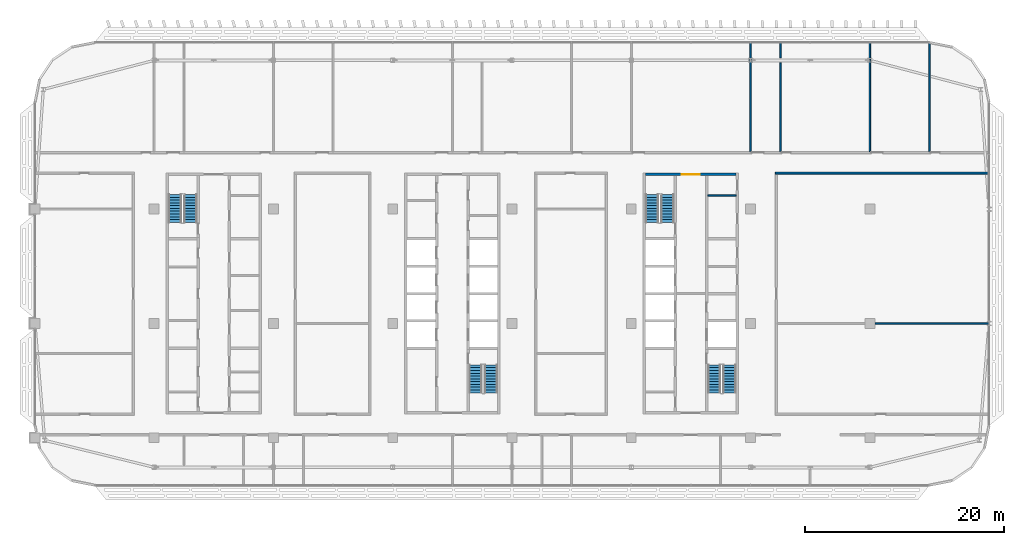
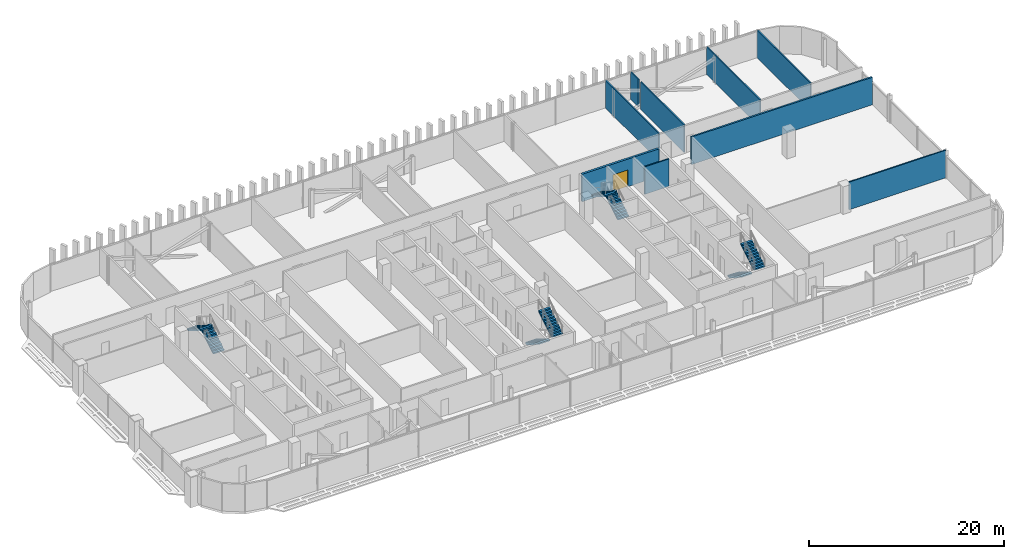
# One storey, part 22 of 32: 9 walls, 8 stair flights, 1 door, 1 opening, 4 elements without a shape of their own.
"""IFC4 building model written with IfcOpenShell, lengths in metres."""

import ifcopenshell
import ifcopenshell.guid

model = None  # the IFC model being written
_history = None  # IfcOwnerHistory: only IFC2X3 demands one
_inside = {}  # id of a spatial element -> (the spatial element, [elements in it])
_under = {}  # id of a project, library or spatial element -> (it, [spatial elements below it])
_declared = {}  # id of a project -> (the project, [libraries it declares])
_typed = {}  # id of a type object -> (the type object, [elements of that type])
_made_of = {}  # id of a material, layer set ... -> (it, [elements and type objects made of it])


def new_model(schema):
    """Start an empty IFC model of exactly this schema.

    Asked for "IFC4X3", IfcOpenShell would pick the latest addendum, in which some entities
    have other attributes; the version numbers below select the first issue.
    IFC2X3 requires an IfcOwnerHistory on every rooted entity: one is made here for all.
    """
    global model, _history
    if schema == "IFC4X3":
        model = ifcopenshell.file(schema_version=(4, 3, 0, 0))
    else:
        model = ifcopenshell.file(schema=schema)
    _inside.clear()
    _under.clear()
    _declared.clear()
    _typed.clear()
    _made_of.clear()
    _history = None
    if model.schema == "IFC2X3":
        org = make("IfcOrganization", Name="unknown")
        user = make(
            "IfcPersonAndOrganization",
            ThePerson=make("IfcPerson", FamilyName="unknown"),
            TheOrganization=org,
        )
        app = make(
            "IfcApplication",
            ApplicationDeveloper=org,
            Version="unknown",
            ApplicationFullName="unknown",
            ApplicationIdentifier="unknown",
        )
        _history = make(
            "IfcOwnerHistory",
            OwningUser=user,
            OwningApplication=app,
            ChangeAction="ADDED",
            CreationDate=0,
        )
    return model


def make(cls, **values):
    """One entity of the class cls with the attributes given. An attribute that is None is left unset."""
    return model.create_entity(
        cls, **{name: value for name, value in values.items() if value is not None}
    )


def rooted(cls, **values):
    """An entity with a GlobalId (a new one), such as an element, a storey or a relation."""
    return make(cls, GlobalId=ifcopenshell.guid.new(), OwnerHistory=_history, **values)


def si_unit(unit_type, name, prefix=None):
    """IfcSIUnit, for example si_unit("LENGTHUNIT", "METRE", prefix="MILLI")."""
    return make("IfcSIUnit", UnitType=unit_type, Prefix=prefix, Name=name)


def assignment(units):
    """IfcUnitAssignment: the units of a project."""
    return None if units is None else make("IfcUnitAssignment", Units=units)


def point(xyz):
    """IfcCartesianPoint."""
    return None if xyz is None else make("IfcCartesianPoint", Coordinates=xyz)


def direction(xyz):
    """IfcDirection."""
    return None if xyz is None else make("IfcDirection", DirectionRatios=xyz)


def frame(location, z_axis=None, x_axis=None):
    """IfcAxis2Placement3D, a coordinate frame: its origin and axes. An axis left out is left unset."""
    return make(
        "IfcAxis2Placement3D",
        Location=point(location),
        Axis=direction(z_axis),
        RefDirection=direction(x_axis),
    )


def frame_2d(location, x_axis=None):
    """IfcAxis2Placement2D, a coordinate frame in the plane: its origin and x axis."""
    return make(
        "IfcAxis2Placement2D", Location=point(location), RefDirection=direction(x_axis)
    )


def origin():
    """The frame at (0, 0, 0) with its axes left unset."""
    return frame((0.0, 0.0, 0.0))


def place(relative_to, where):
    """IfcLocalPlacement: puts the frame where relative to a parent placement (None: the world)."""
    return make(
        "IfcLocalPlacement", PlacementRelTo=relative_to, RelativePlacement=where
    )


def context(
    kind, dimensions, precision=None, world=None, true_north=None, identifier=None
):
    """IfcGeometricRepresentationContext, for example the 3D "Model" context."""
    return make(
        "IfcGeometricRepresentationContext",
        ContextIdentifier=identifier,
        ContextType=kind,
        CoordinateSpaceDimension=dimensions,
        Precision=precision,
        WorldCoordinateSystem=world,
        TrueNorth=true_north,
    )


def subcontext(parent, identifier, kind, view, scale=None):
    """IfcGeometricRepresentationSubContext, for example "Body" below "Model"."""
    return make(
        "IfcGeometricRepresentationSubContext",
        ContextIdentifier=identifier,
        ContextType=kind,
        ParentContext=parent,
        TargetScale=scale,
        TargetView=view,
    )


def project(units=None, contexts=None):
    """IfcProject with its units and contexts."""
    return rooted(
        "IfcProject",
        Name="project",
        RepresentationContexts=contexts,
        UnitsInContext=assignment(units),
    )


def spatial(cls, under=None, at=None, **own):
    """A site, building, storey or space (cls), placed at a placement, below another one or the project."""
    s = rooted(cls, ObjectPlacement=at, **own)
    if under is not None:
        _under.setdefault(under.id(), (under, []))[1].append(s)
    return s


def polyline(points):
    """IfcPolyline through the points."""
    return make("IfcPolyline", Points=[point(p) for p in points])


def profile(cls, at=None, kind="AREA", **sizes):
    """A parametric profile (cls). Its sizes go by their IFC names, for example OverallWidth=200.0."""
    return make(cls, ProfileType=kind, Position=at, **sizes)


def rectangle(**sizes):
    """IfcRectangleProfileDef."""
    return profile("IfcRectangleProfileDef", **sizes)


def outline(outer, holes=None, kind="AREA"):
    """IfcArbitraryClosedProfileDef: a profile drawn as a closed curve; with holes, ...WithVoids."""
    if holes is None:
        return make("IfcArbitraryClosedProfileDef", ProfileType=kind, OuterCurve=outer)
    return make(
        "IfcArbitraryProfileDefWithVoids",
        ProfileType=kind,
        OuterCurve=outer,
        InnerCurves=holes,
    )


def extrude(swept, where, along, depth):
    """IfcExtrudedAreaSolid: the profile swept, set in the frame where, extruded along a direction by depth."""
    return make(
        "IfcExtrudedAreaSolid",
        SweptArea=swept,
        Position=where,
        ExtrudedDirection=direction(along),
        Depth=depth,
    )


def shape(context_of_items, identifier, shape_type, items):
    """IfcShapeRepresentation: the items that make up one representation, for example the "Body"."""
    return make(
        "IfcShapeRepresentation",
        ContextOfItems=context_of_items,
        RepresentationIdentifier=identifier,
        RepresentationType=shape_type,
        Items=items,
    )


def material(Name=None, Category=None):
    """IfcMaterial."""
    return make("IfcMaterial", Name=Name, Category=Category)


def layer(
    of_material, thickness, ventilated=None, Name=None, Category=None, Priority=None
):
    """IfcMaterialLayer: one layer of a wall or slab, of a material (None: an air gap)."""
    return make(
        "IfcMaterialLayer",
        Material=of_material,
        LayerThickness=thickness,
        IsVentilated=ventilated,
        Name=Name,
        Category=Category,
        Priority=Priority,
    )


def layer_set(layers, Name=None):
    """IfcMaterialLayerSet."""
    return make("IfcMaterialLayerSet", MaterialLayers=layers, LayerSetName=Name)


def made_of(thing, what):
    """Note that an element or type object is made of a material, layer set ...; save() writes the relation."""
    if what is not None:
        _made_of.setdefault(what.id(), (what, []))[1].append(thing)
    return thing


def type_object(cls, material=None, **own):
    """A type object (cls), such as IfcWallType, which elements share."""
    return made_of(rooted(cls, **own), material)


def element(
    cls,
    number,
    at=None,
    inside=None,
    cuts=None,
    type_object=None,
    material=None,
    context=None,
    identifier="Body",
    shape_type=None,
    held_by="IfcProductDefinitionShape",
    body=None,
    shapes=None,
    **own,
):
    """One element of the class cls, such as IfcWall. Its Tag is "e" and its number.

    at: its placement. inside: the storey or other place that contains it. cuts: it is an
    opening in that element (IfcRelVoidsElement). A single representation is given by context,
    identifier, shape_type and body (its items); several are given by shapes. held_by: the class
    of the entity that holds the representations. save() writes the other relations.
    """
    e = rooted(cls, Tag="e%d" % number, ObjectPlacement=at, **own)
    if body is not None:
        shapes = [shape(context, identifier, shape_type, body)]
    if shapes is not None:
        e.Representation = make(held_by, Representations=shapes)
    if inside is not None:
        _inside.setdefault(inside.id(), (inside, []))[1].append(e)
    if cuts is not None:
        rooted(
            "IfcRelVoidsElement", RelatingBuildingElement=cuts, RelatedOpeningElement=e
        )
    if type_object is not None:
        _typed.setdefault(type_object.id(), (type_object, []))[1].append(e)
    return made_of(e, material)


def fill(opening, filler):
    """IfcRelFillsElement: the door or window that sits in an opening."""
    return rooted(
        "IfcRelFillsElement",
        RelatingOpeningElement=opening,
        RelatedBuildingElement=filler,
    )


def aggregate(whole, parts):
    """IfcRelAggregates: a whole, such as a stair, and the parts it consists of."""
    return rooted("IfcRelAggregates", RelatingObject=whole, RelatedObjects=parts)


def save(model, path):
    """Write the relations noted so far, then the file.

    IfcRelAggregates (storeys below a building ...), IfcRelContainedInSpatialStructure (elements
    in a storey), IfcRelDefinesByType, IfcRelAssociatesMaterial and IfcRelDeclares: one each for
    every whole, place, type object, material and project.
    """
    for whole, parts in _under.values():
        aggregate(whole, parts)
    for where, things in _inside.values():
        rooted(
            "IfcRelContainedInSpatialStructure",
            RelatedElements=things,
            RelatingStructure=where,
        )
    for kind, things in _typed.values():
        rooted("IfcRelDefinesByType", RelatedObjects=things, RelatingType=kind)
    for what, things in _made_of.values():
        rooted("IfcRelAssociatesMaterial", RelatedObjects=things, RelatingMaterial=what)
    for by, libraries in _declared.values():
        rooted("IfcRelDeclares", RelatingContext=by, RelatedDefinitions=libraries)
    model.write(path)


model = new_model("IFC4")

# Units and contexts
model_context = context("Model", 3, precision=1e-05, world=origin(), true_north=direction((0.0, 1.0)))
body_context = subcontext(model_context, "Body", "Model", "MODEL_VIEW")
ifc_project = project(units=[si_unit("LENGTHUNIT", "METRE"), si_unit("AREAUNIT", "SQUARE_METRE"), si_unit("VOLUMEUNIT", "CUBIC_METRE"), si_unit("PLANEANGLEUNIT", "RADIAN"), si_unit("MASSUNIT", "GRAM", prefix="KILO")], contexts=[model_context])

# Site, building, storey
site_placement = place(None, origin())
site = spatial("IfcSite", under=ifc_project, at=site_placement, CompositionType="ELEMENT")
building_placement = place(site_placement, origin())
building = spatial("IfcBuilding", under=site, at=building_placement, Name="Mahtab Terrace Research Tower", CompositionType="ELEMENT")
storey_placement = place(building_placement, frame((0.0, 0.0, 236.199951171875)))
storey = spatial("IfcBuildingStorey", under=building, at=storey_placement, Name="L57", CompositionType="ELEMENT", Elevation=236.199951171875)

# Wall
ifc_material_1 = material(Name="Gypsum board partition")
ifc_layer_1 = layer(ifc_material_1, 0.14990234375)
ifc_layer_set_1 = layer_set([ifc_layer_1], Name="Core partition 150")
wall_type_1 = type_object("IfcWallType", Name="Core partition 150", PredefinedType="PARTITIONING", material=ifc_layer_set_1)
wall_1_placement = place(storey_placement, frame((25.699951171875, 12.875, 0.0), z_axis=(0.0, 0.0, 1.0), x_axis=(1.0, 0.0, 0.0)))
element("IfcWall", 1, at=wall_1_placement, inside=storey, type_object=wall_type_1, Name="Core wall C pEN988", PredefinedType="PARTITIONING", context=body_context, shape_type="SweptSolid", body=[
    extrude(rectangle(XDim=2.85009765625, YDim=0.14990234375, at=frame_2d((1.425048828125, 0.0))), origin(), (0.0, 0.0, 1.0), 3.4599609375),
])

# Wall, opening, door
ifc_material_2 = material(Name="Concrete C70/85", Category="concrete")
ifc_layer_2 = layer(ifc_material_2, 0.25)
ifc_layer_set_2 = layer_set([ifc_layer_2], Name="Core wall 250")
wall_type_2 = type_object("IfcWallType", Name="Core wall 250", PredefinedType="SOLIDWALL", material=ifc_layer_set_2)
wall_2_placement = place(storey_placement, frame((19.449951171875, 15.0, 0.0), z_axis=(0.0, 0.0, 1.0), x_axis=(1.0, 0.0, 0.0)))
wall_2 = element("IfcWall", 2, at=wall_2_placement, inside=storey, type_object=wall_type_2, Name="Core wall C endN", PredefinedType="SOLIDWALL", context=body_context, shape_type="SweptSolid", body=[
    extrude(rectangle(XDim=9.10009765625, YDim=0.25, at=frame_2d((4.550048828125, 0.0))), origin(), (0.0, 0.0, 1.0), 3.4599609375),
])
opening_placement = place(wall_2_placement, frame((3.64990234375, 0.0, 0.0)))
opening = element("IfcOpeningElement", 3, at=opening_placement, cuts=wall_2, Name="Opening C-N1", PredefinedType="OPENING", context=body_context, shape_type="SweptSolid", body=[
    extrude(rectangle(XDim=1.800048828125, YDim=2.10009765625, at=frame_2d((0.89990234375, 1.050048828125))), frame((0.0, 0.135009765625, 0.0), z_axis=(0.0, -1.0, 0.0), x_axis=(1.0, 0.0, 0.0)), (0.0, 0.0, 1.0), 0.27001953125),
])
ifc_material_3 = material(Name="Steel fire door", Category="steel")
door_type = type_object("IfcDoorType", Name="Lobby double door 1800x2100 1 HR", OperationType="DOUBLE_DOOR_SINGLE_SWING", PredefinedType="DOOR", material=ifc_material_3)
door_placement = place(opening_placement, origin())
door = element("IfcDoor", 4, at=door_placement, inside=storey, type_object=door_type, Name="Core entrance door C N", OperationType="DOUBLE_DOOR_SINGLE_SWING", OverallHeight=2.10009765625, OverallWidth=1.800048828125, PredefinedType="DOOR", context=body_context, shape_type="SweptSolid", body=[
    extrude(rectangle(XDim=1.800048828125, YDim=2.10009765625, at=frame_2d((0.89990234375, 1.050048828125))), frame((0.0, 0.02490234375, 0.0), z_axis=(0.0, -1.0, 0.0), x_axis=(1.0, 0.0, 0.0)), (0.0, 0.0, 1.0), 0.050048828125),
])
fill(opening, door)

# Walls
ifc_material_4 = material(Name="Gypsum board corridor wall on steel studs", Category="steel")
ifc_layer_3 = layer(ifc_material_4, 0.199951171875)
ifc_layer_set_3 = layer_set([ifc_layer_3], Name="WALL CORRIDOR 200")
wall_type_3 = type_object("IfcWallType", Name="WALL CORRIDOR 200", PredefinedType="PARTITIONING", material=ifc_layer_set_3)
wall_3_placement = place(storey_placement, frame((32.5, 15.125, 0.0), z_axis=(0.0, 0.0, 1.0), x_axis=(1.0, 0.0, 0.0)))
element("IfcWall", 5, at=wall_3_placement, inside=storey, type_object=wall_type_3, Name="L57-W024", PredefinedType="PARTITIONING", context=body_context, shape_type="SweptSolid", body=[
    extrude(rectangle(XDim=21.47509765625, YDim=0.199951171875, at=frame_2d((10.737548828125, 0.0))), origin(), (0.0, 0.0, 1.0), 3.4599609375),
])
ifc_material_5 = material(Name="Gypsum board partition on steel studs", Category="steel")
ifc_layer_4 = layer(ifc_material_5, 0.14990234375)
ifc_layer_set_4 = layer_set([ifc_layer_4], Name="WALL PARTITION 150")
wall_type_4 = type_object("IfcWallType", Name="WALL PARTITION 150", PredefinedType="PARTITIONING", material=ifc_layer_set_4)
wall_4_placement = place(storey_placement, frame((42.5, 0.0, 0.0), z_axis=(0.0, 0.0, 1.0), x_axis=(1.0, 0.0, 0.0)))
element("IfcWall", 6, at=wall_4_placement, inside=storey, type_object=wall_type_4, Name="L57-W018", PredefinedType="PARTITIONING", context=body_context, shape_type="SweptSolid", body=[
    extrude(rectangle(XDim=11.47509765625, YDim=0.14990234375, at=frame_2d((5.737548828125, 0.0))), origin(), (0.0, 0.0, 1.0), 3.4599609375),
])
wall_5_placement = place(storey_placement, frame((30.0, 17.300048828125, 0.0), z_axis=(0.0, 0.0, 1.0), x_axis=(0.0, 1.0, 0.0)))
element("IfcWall", 7, at=wall_5_placement, inside=storey, type_object=wall_type_4, Name="L57-W051", PredefinedType="PARTITIONING", context=body_context, shape_type="SweptSolid", body=[
    extrude(rectangle(XDim=10.952880859375, YDim=0.14990234375, at=frame_2d((5.4765625, 0.0))), origin(), (0.0, 0.0, 1.0), 3.4599609375),
])
wall_6_placement = place(storey_placement, frame((33.0, 17.300048828125, 0.0), z_axis=(0.0, 0.0, 1.0), x_axis=(0.0, 1.0, 0.0)))
element("IfcWall", 8, at=wall_6_placement, inside=storey, type_object=wall_type_4, Name="L57-W053", PredefinedType="PARTITIONING", context=body_context, shape_type="SweptSolid", body=[
    extrude(rectangle(XDim=8.920654296875, YDim=0.14990234375, at=frame_2d((4.46044921875, 0.0))), origin(), (0.0, 0.0, 1.0), 3.4599609375),
])
wall_7_placement = place(storey_placement, frame((33.0, 26.725341796875, 0.0), z_axis=(0.0, 0.0, 1.0), x_axis=(0.0, 1.0, 0.0)))
element("IfcWall", 9, at=wall_7_placement, inside=storey, type_object=wall_type_4, Name="L57-W054", PredefinedType="PARTITIONING", context=body_context, shape_type="SweptSolid", body=[
    extrude(rectangle(XDim=1.527587890625, YDim=0.14990234375, at=frame_2d((0.763671875, 0.0))), origin(), (0.0, 0.0, 1.0), 3.4599609375),
])
for number, where, z_axis, x_axis, name in (
    (10, (42.0, 17.300048828125, 0.0), (0.0, 0.0, 1.0), (0.0, 1.0, 0.0), "L57-W056"),
    (11, (48.0, 17.300048828125, 0.0), (0.0, 0.0, 1.0), (0.0, 1.0, 0.0), "L57-W057"),
):
    element("IfcWall", number, at=place(storey_placement, frame(where, z_axis=z_axis, x_axis=x_axis)), inside=storey, type_object=wall_type_4, Name=name, PredefinedType="PARTITIONING", context=body_context, shape_type="SweptSolid", body=[
        extrude(rectangle(XDim=10.952880859375, YDim=0.14990234375, at=frame_2d((5.4765625, 0.0))), origin(), (0.0, 0.0, 1.0), 3.4599609375),
    ])

# Stair, stair flights
ifc_material_6 = material(Name="Exit stair half-turn")
stair_type = type_object("IfcStairType", Name="Exit stair half-turn", PredefinedType="HALF_TURN_STAIR", material=ifc_material_6)
stair_1_placement = place(storey_placement, origin())
stair_1 = element("IfcStair", 12, at=stair_1_placement, inside=storey, type_object=stair_type, Name="L57 Protected exit stair ST1", PredefinedType="HALF_TURN_STAIR")
ifc_material_7 = material(Name="Concrete C40/50", Category="concrete")
stair_flight_type = type_object("IfcStairFlightType", Name="Exit stair flight 1300", PredefinedType="STRAIGHT", material=ifc_material_7)
stair_flight_1_placement = place(storey_placement, frame((-26.35009765625, 10.175048828125, 0.0), z_axis=(0.0, 0.0, 1.0), x_axis=(0.0, 1.0, 0.0)))
stair_flight_1 = element("IfcStairFlight", 13, at=stair_flight_1_placement, type_object=stair_flight_type, Name="ST1 flight 1", NumberOfRisers=11, NumberOfTreads=10, PredefinedType="STRAIGHT", RiserHeight=0.172727273, TreadLength=0.28, context=body_context, shape_type="SweptSolid", body=[
    extrude(outline(polyline([(0.0, 0.0), (0.0, 0.172607421875), (0.280029296875, 0.172607421875), (0.280029296875, 0.345458984375), (0.56005859375, 0.345458984375), (0.56005859375, 0.51806640625), (0.840087890625, 0.51806640625), (0.840087890625, 0.69091796875), (1.1201171875, 0.69091796875), (1.1201171875, 0.863525390625), (1.39990234375, 0.863525390625), (1.39990234375, 1.036376953125), (1.679931640625, 1.036376953125), (1.679931640625, 1.208984375), (1.9599609375, 1.208984375), (1.9599609375, 1.3818359375), (2.239990234375, 1.3818359375), (2.239990234375, 1.554443359375), (2.52001953125, 1.554443359375), (2.52001953125, 1.727294921875), (2.800048828125, 1.727294921875), (2.800048828125, 1.89990234375), (2.800048828125, 1.551025390625), (0.285400390625, 0.0), (0.0, 0.0)])), frame((0.0, 0.64990234375, 0.0), z_axis=(0.0, -1.0, 0.0), x_axis=(1.0, 0.0, 0.0)), (0.0, 0.0, 1.0), 1.300048828125),
])
stair_flight_2_placement = place(storey_placement, frame((-27.89990234375, 12.97509765625, 1.900146484375), z_axis=(0.0, 0.0, 1.0), x_axis=(0.0, -1.0, 0.0)))
stair_flight_2 = element("IfcStairFlight", 14, at=stair_flight_2_placement, type_object=stair_flight_type, Name="ST1 flight 2", NumberOfRisers=11, NumberOfTreads=10, PredefinedType="STRAIGHT", RiserHeight=0.172727273, TreadLength=0.28, context=body_context, shape_type="SweptSolid", body=[
    extrude(outline(polyline([(0.0, 0.0), (0.0, 0.172607421875), (0.280029296875, 0.172607421875), (0.280029296875, 0.345458984375), (0.56005859375, 0.345458984375), (0.56005859375, 0.51806640625), (0.840087890625, 0.51806640625), (0.840087890625, 0.69091796875), (1.1201171875, 0.69091796875), (1.1201171875, 0.863525390625), (1.39990234375, 0.863525390625), (1.39990234375, 1.036376953125), (1.679931640625, 1.036376953125), (1.679931640625, 1.208984375), (1.9599609375, 1.208984375), (1.9599609375, 1.3818359375), (2.239990234375, 1.3818359375), (2.239990234375, 1.554443359375), (2.52001953125, 1.554443359375), (2.52001953125, 1.727294921875), (2.800048828125, 1.727294921875), (2.800048828125, 1.89990234375), (2.800048828125, 1.551025390625), (0.285400390625, 0.0), (0.0, 0.0)])), frame((0.0, 0.64990234375, 0.0), z_axis=(0.0, -1.0, 0.0), x_axis=(1.0, 0.0, 0.0)), (0.0, 0.0, 1.0), 1.300048828125),
])
aggregate(stair_1, [stair_flight_1, stair_flight_2])

stair_2_placement = place(storey_placement, origin())
stair_2 = element("IfcStair", 15, at=stair_2_placement, inside=storey, type_object=stair_type, Name="L57 Protected exit stair ST2", PredefinedType="HALF_TURN_STAIR")
stair_flight_3_placement = place(storey_placement, frame((2.35009765625, -4.175048828125, 0.0), z_axis=(0.0, 0.0, 1.0), x_axis=(0.0, -1.0, 0.0)))
stair_flight_3 = element("IfcStairFlight", 16, at=stair_flight_3_placement, type_object=stair_flight_type, Name="ST2 flight 1", NumberOfRisers=11, NumberOfTreads=10, PredefinedType="STRAIGHT", RiserHeight=0.172727273, TreadLength=0.28, context=body_context, shape_type="SweptSolid", body=[
    extrude(outline(polyline([(0.0, 0.0), (0.0, 0.172607421875), (0.280029296875, 0.172607421875), (0.280029296875, 0.345458984375), (0.56005859375, 0.345458984375), (0.56005859375, 0.51806640625), (0.840087890625, 0.51806640625), (0.840087890625, 0.69091796875), (1.1201171875, 0.69091796875), (1.1201171875, 0.863525390625), (1.39990234375, 0.863525390625), (1.39990234375, 1.036376953125), (1.679931640625, 1.036376953125), (1.679931640625, 1.208984375), (1.9599609375, 1.208984375), (1.9599609375, 1.3818359375), (2.239990234375, 1.3818359375), (2.239990234375, 1.554443359375), (2.52001953125, 1.554443359375), (2.52001953125, 1.727294921875), (2.800048828125, 1.727294921875), (2.800048828125, 1.89990234375), (2.800048828125, 1.551025390625), (0.285400390625, 0.0), (0.0, 0.0)])), frame((0.0, 0.64990234375, 0.0), z_axis=(0.0, -1.0, 0.0), x_axis=(1.0, 0.0, 0.0)), (0.0, 0.0, 1.0), 1.300048828125),
])
stair_flight_4_placement = place(storey_placement, frame((3.89990234375, -6.97509765625, 1.900146484375), z_axis=(0.0, 0.0, 1.0), x_axis=(0.0, 1.0, 0.0)))
stair_flight_4 = element("IfcStairFlight", 17, at=stair_flight_4_placement, type_object=stair_flight_type, Name="ST2 flight 2", NumberOfRisers=11, NumberOfTreads=10, PredefinedType="STRAIGHT", RiserHeight=0.172727273, TreadLength=0.28, context=body_context, shape_type="SweptSolid", body=[
    extrude(outline(polyline([(0.0, 0.0), (0.0, 0.172607421875), (0.280029296875, 0.172607421875), (0.280029296875, 0.345458984375), (0.56005859375, 0.345458984375), (0.56005859375, 0.51806640625), (0.840087890625, 0.51806640625), (0.840087890625, 0.69091796875), (1.1201171875, 0.69091796875), (1.1201171875, 0.863525390625), (1.39990234375, 0.863525390625), (1.39990234375, 1.036376953125), (1.679931640625, 1.036376953125), (1.679931640625, 1.208984375), (1.9599609375, 1.208984375), (1.9599609375, 1.3818359375), (2.239990234375, 1.3818359375), (2.239990234375, 1.554443359375), (2.52001953125, 1.554443359375), (2.52001953125, 1.727294921875), (2.800048828125, 1.727294921875), (2.800048828125, 1.89990234375), (2.800048828125, 1.551025390625), (0.285400390625, 0.0), (0.0, 0.0)])), frame((0.0, 0.64990234375, 0.0), z_axis=(0.0, -1.0, 0.0), x_axis=(1.0, 0.0, 0.0)), (0.0, 0.0, 1.0), 1.300048828125),
])
aggregate(stair_2, [stair_flight_3, stair_flight_4])

stair_3_placement = place(storey_placement, origin())
stair_3 = element("IfcStair", 18, at=stair_3_placement, inside=storey, type_object=stair_type, Name="L57 Protected exit stair ST3", PredefinedType="HALF_TURN_STAIR")
stair_flight_5_placement = place(storey_placement, frame((21.64990234375, 10.175048828125, 0.0), z_axis=(0.0, 0.0, 1.0), x_axis=(0.0, 1.0, 0.0)))
stair_flight_5 = element("IfcStairFlight", 19, at=stair_flight_5_placement, type_object=stair_flight_type, Name="ST3 flight 1", NumberOfRisers=11, NumberOfTreads=10, PredefinedType="STRAIGHT", RiserHeight=0.172727273, TreadLength=0.28, context=body_context, shape_type="SweptSolid", body=[
    extrude(outline(polyline([(0.0, 0.0), (0.0, 0.172607421875), (0.280029296875, 0.172607421875), (0.280029296875, 0.345458984375), (0.56005859375, 0.345458984375), (0.56005859375, 0.51806640625), (0.840087890625, 0.51806640625), (0.840087890625, 0.69091796875), (1.1201171875, 0.69091796875), (1.1201171875, 0.863525390625), (1.39990234375, 0.863525390625), (1.39990234375, 1.036376953125), (1.679931640625, 1.036376953125), (1.679931640625, 1.208984375), (1.9599609375, 1.208984375), (1.9599609375, 1.3818359375), (2.239990234375, 1.3818359375), (2.239990234375, 1.554443359375), (2.52001953125, 1.554443359375), (2.52001953125, 1.727294921875), (2.800048828125, 1.727294921875), (2.800048828125, 1.89990234375), (2.800048828125, 1.551025390625), (0.285400390625, 0.0), (0.0, 0.0)])), frame((0.0, 0.64990234375, 0.0), z_axis=(0.0, -1.0, 0.0), x_axis=(1.0, 0.0, 0.0)), (0.0, 0.0, 1.0), 1.300048828125),
])
stair_flight_6_placement = place(storey_placement, frame((20.10009765625, 12.97509765625, 1.900146484375), z_axis=(0.0, 0.0, 1.0), x_axis=(0.0, -1.0, 0.0)))
stair_flight_6 = element("IfcStairFlight", 20, at=stair_flight_6_placement, type_object=stair_flight_type, Name="ST3 flight 2", NumberOfRisers=11, NumberOfTreads=10, PredefinedType="STRAIGHT", RiserHeight=0.172727273, TreadLength=0.28, context=body_context, shape_type="SweptSolid", body=[
    extrude(outline(polyline([(0.0, 0.0), (0.0, 0.172607421875), (0.280029296875, 0.172607421875), (0.280029296875, 0.345458984375), (0.56005859375, 0.345458984375), (0.56005859375, 0.51806640625), (0.840087890625, 0.51806640625), (0.840087890625, 0.69091796875), (1.1201171875, 0.69091796875), (1.1201171875, 0.863525390625), (1.39990234375, 0.863525390625), (1.39990234375, 1.036376953125), (1.679931640625, 1.036376953125), (1.679931640625, 1.208984375), (1.9599609375, 1.208984375), (1.9599609375, 1.3818359375), (2.239990234375, 1.3818359375), (2.239990234375, 1.554443359375), (2.52001953125, 1.554443359375), (2.52001953125, 1.727294921875), (2.800048828125, 1.727294921875), (2.800048828125, 1.89990234375), (2.800048828125, 1.551025390625), (0.285400390625, 0.0), (0.0, 0.0)])), frame((0.0, 0.64990234375, 0.0), z_axis=(0.0, -1.0, 0.0), x_axis=(1.0, 0.0, 0.0)), (0.0, 0.0, 1.0), 1.300048828125),
])
aggregate(stair_3, [stair_flight_5, stair_flight_6])

stair_4_placement = place(storey_placement, origin())
stair_4 = element("IfcStair", 21, at=stair_4_placement, inside=storey, type_object=stair_type, Name="L57 Protected exit stair ST4", PredefinedType="HALF_TURN_STAIR")
stair_flight_7_placement = place(storey_placement, frame((26.35009765625, -4.175048828125, 0.0), z_axis=(0.0, 0.0, 1.0), x_axis=(0.0, -1.0, 0.0)))
stair_flight_7 = element("IfcStairFlight", 22, at=stair_flight_7_placement, type_object=stair_flight_type, Name="ST4 flight 1", NumberOfRisers=11, NumberOfTreads=10, PredefinedType="STRAIGHT", RiserHeight=0.172727273, TreadLength=0.28, context=body_context, shape_type="SweptSolid", body=[
    extrude(outline(polyline([(0.0, 0.0), (0.0, 0.172607421875), (0.280029296875, 0.172607421875), (0.280029296875, 0.345458984375), (0.56005859375, 0.345458984375), (0.56005859375, 0.51806640625), (0.840087890625, 0.51806640625), (0.840087890625, 0.69091796875), (1.1201171875, 0.69091796875), (1.1201171875, 0.863525390625), (1.39990234375, 0.863525390625), (1.39990234375, 1.036376953125), (1.679931640625, 1.036376953125), (1.679931640625, 1.208984375), (1.9599609375, 1.208984375), (1.9599609375, 1.3818359375), (2.239990234375, 1.3818359375), (2.239990234375, 1.554443359375), (2.52001953125, 1.554443359375), (2.52001953125, 1.727294921875), (2.800048828125, 1.727294921875), (2.800048828125, 1.89990234375), (2.800048828125, 1.551025390625), (0.285400390625, 0.0), (0.0, 0.0)])), frame((0.0, 0.64990234375, 0.0), z_axis=(0.0, -1.0, 0.0), x_axis=(1.0, 0.0, 0.0)), (0.0, 0.0, 1.0), 1.300048828125),
])
stair_flight_8_placement = place(storey_placement, frame((27.89990234375, -6.97509765625, 1.900146484375), z_axis=(0.0, 0.0, 1.0), x_axis=(0.0, 1.0, 0.0)))
stair_flight_8 = element("IfcStairFlight", 23, at=stair_flight_8_placement, type_object=stair_flight_type, Name="ST4 flight 2", NumberOfRisers=11, NumberOfTreads=10, PredefinedType="STRAIGHT", RiserHeight=0.172727273, TreadLength=0.28, context=body_context, shape_type="SweptSolid", body=[
    extrude(outline(polyline([(0.0, 0.0), (0.0, 0.172607421875), (0.280029296875, 0.172607421875), (0.280029296875, 0.345458984375), (0.56005859375, 0.345458984375), (0.56005859375, 0.51806640625), (0.840087890625, 0.51806640625), (0.840087890625, 0.69091796875), (1.1201171875, 0.69091796875), (1.1201171875, 0.863525390625), (1.39990234375, 0.863525390625), (1.39990234375, 1.036376953125), (1.679931640625, 1.036376953125), (1.679931640625, 1.208984375), (1.9599609375, 1.208984375), (1.9599609375, 1.3818359375), (2.239990234375, 1.3818359375), (2.239990234375, 1.554443359375), (2.52001953125, 1.554443359375), (2.52001953125, 1.727294921875), (2.800048828125, 1.727294921875), (2.800048828125, 1.89990234375), (2.800048828125, 1.551025390625), (0.285400390625, 0.0), (0.0, 0.0)])), frame((0.0, 0.64990234375, 0.0), z_axis=(0.0, -1.0, 0.0), x_axis=(1.0, 0.0, 0.0)), (0.0, 0.0, 1.0), 1.300048828125),
])
aggregate(stair_4, [stair_flight_7, stair_flight_8])

save(model, "model.ifc")
